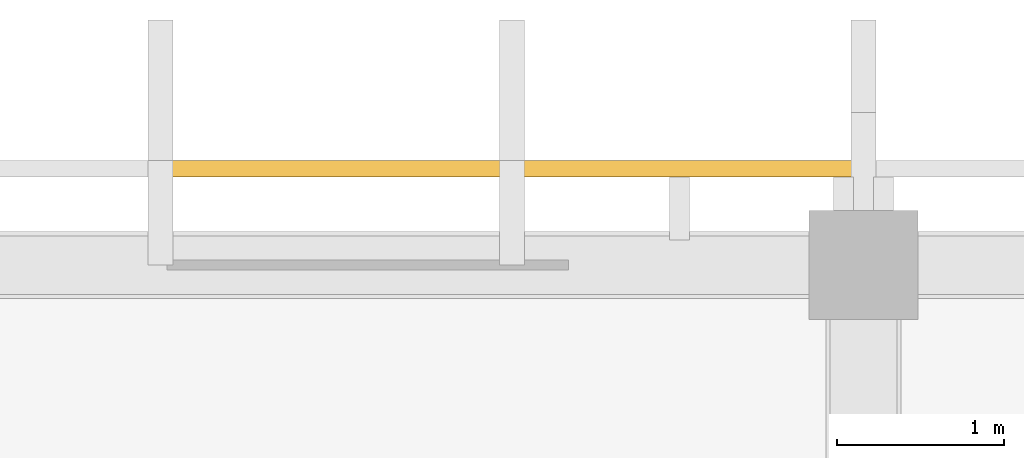
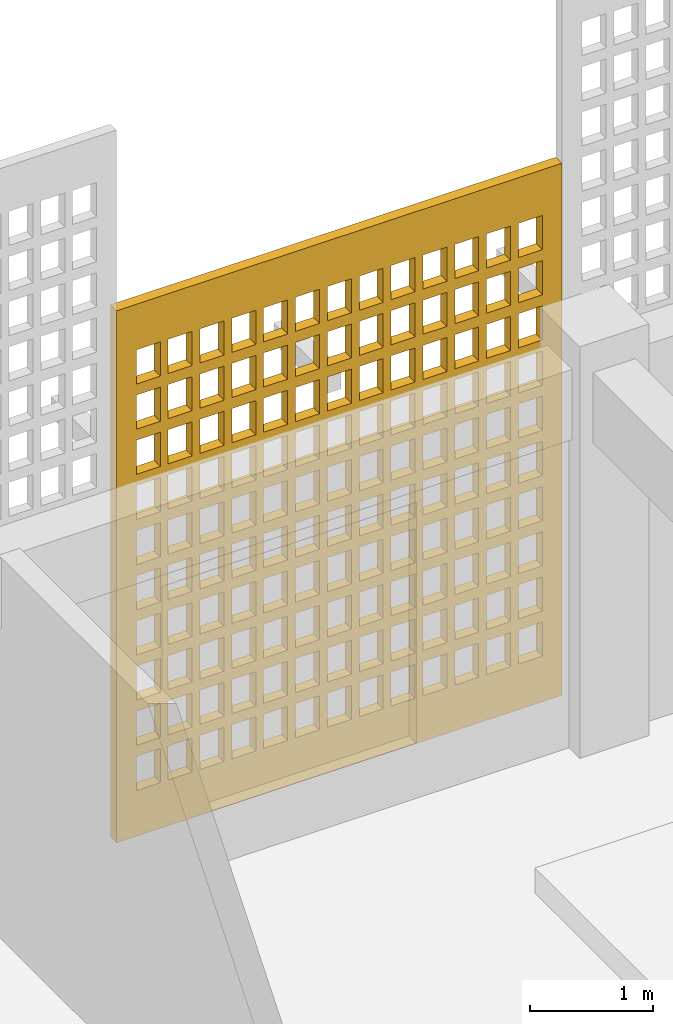
# One storey, part 20 of 23: 1 shading device, 1 opening.
"""IFC4 building model written with IfcOpenShell, lengths in metres."""

from ifc_helpers import new_model, si_unit, direction, frame, origin, origin_2d, place, context, subcontext, project, spatial, rectangle, extrude, material, layer, layer_set, type_object, element, save


model = new_model("IFC4")

# Units and contexts
model_context = context("Model", 3, precision=1e-05, world=origin(), true_north=direction((0.0, 1.0)))
body_context = subcontext(model_context, "Body", "Model", "MODEL_VIEW")
ifc_project = project(units=[si_unit("LENGTHUNIT", "METRE"), si_unit("AREAUNIT", "SQUARE_METRE"), si_unit("VOLUMEUNIT", "CUBIC_METRE"), si_unit("PLANEANGLEUNIT", "RADIAN"), si_unit("MASSUNIT", "GRAM", prefix="KILO")], contexts=[model_context])

# Site, building, storey
site_placement = place(None, origin())
site = spatial("IfcSite", under=ifc_project, at=site_placement, CompositionType="ELEMENT")
building_placement = place(site_placement, origin())
building = spatial("IfcBuilding", under=site, at=building_placement, Name="Rulbaag Community and Learning Centre", CompositionType="ELEMENT")
storey_placement = place(building_placement, frame((0.0, 0.0, 64.800048828125)))
storey = spatial("IfcBuildingStorey", under=building, at=storey_placement, Name="L17", CompositionType="ELEMENT", Elevation=64.800048828125)

# Shading device, opening
ifc_material = material(Name="Concrete M40", Category="concrete")
ifc_layer = layer(ifc_material, 0.10009765625)
ifc_layer_set = layer_set([ifc_layer], Name="JC-4")
shading_device_type = type_object("IfcShadingDeviceType", Name="JC-4", PredefinedType="SHUTTER", material=ifc_layer_set)
shading_device_placement = place(storey_placement, frame((157.5, 118.175048828125, 0.0), z_axis=(0.0, 0.0, 1.0), x_axis=(1.0, 0.0, 0.0)))
shading_device = element("IfcShadingDevice", 1, at=shading_device_placement, inside=storey, type_object=shading_device_type, Name="Jaali lantern screen", PredefinedType="SHUTTER", context=body_context, shape_type="SweptSolid", body=[
    extrude(rectangle(XDim=4.199951171875, YDim=0.10009765625, at=origin_2d()), origin(), (0.0, 0.0, 1.0), 5.300048828125),
])
opening_placement = place(shading_device_placement, origin())
element("IfcOpeningElement", 2, at=opening_placement, cuts=shading_device, Name="Perforation JC4", PredefinedType="OPENING", context=body_context, shape_type="SweptSolid", body=[
    extrude(rectangle(XDim=0.22509765625, YDim=0.340087890625, at=origin_2d()), frame((-1.800048828125, -0.06005859375, 0.625), z_axis=(0.0, 1.0, 0.0), x_axis=(1.0, 0.0, 0.0)), (0.0, 0.0, 1.0), 0.1201171875),
    extrude(rectangle(XDim=0.22509765625, YDim=0.340087890625, at=origin_2d()), frame((-1.5, -0.06005859375, 0.625), z_axis=(0.0, 1.0, 0.0), x_axis=(1.0, 0.0, 0.0)), (0.0, 0.0, 1.0), 0.1201171875),
    extrude(rectangle(XDim=0.22509765625, YDim=0.340087890625, at=origin_2d()), frame((-1.199951171875, -0.06005859375, 0.625), z_axis=(0.0, 1.0, 0.0), x_axis=(1.0, 0.0, 0.0)), (0.0, 0.0, 1.0), 0.1201171875),
    extrude(rectangle(XDim=0.22509765625, YDim=0.340087890625, at=origin_2d()), frame((-0.89990234375, -0.06005859375, 0.625), z_axis=(0.0, 1.0, 0.0), x_axis=(1.0, 0.0, 0.0)), (0.0, 0.0, 1.0), 0.1201171875),
    extrude(rectangle(XDim=0.22509765625, YDim=0.340087890625, at=origin_2d()), frame((-0.60009765625, -0.06005859375, 0.625), z_axis=(0.0, 1.0, 0.0), x_axis=(1.0, 0.0, 0.0)), (0.0, 0.0, 1.0), 0.1201171875),
    extrude(rectangle(XDim=0.22509765625, YDim=0.340087890625, at=origin_2d()), frame((-0.300048828125, -0.06005859375, 0.625), z_axis=(0.0, 1.0, 0.0), x_axis=(1.0, 0.0, 0.0)), (0.0, 0.0, 1.0), 0.1201171875),
    extrude(rectangle(XDim=0.22509765625, YDim=0.340087890625, at=origin_2d()), frame((0.0, -0.06005859375, 0.625), z_axis=(0.0, 1.0, 0.0), x_axis=(1.0, 0.0, 0.0)), (0.0, 0.0, 1.0), 0.1201171875),
    extrude(rectangle(XDim=0.22509765625, YDim=0.340087890625, at=origin_2d()), frame((0.300048828125, -0.06005859375, 0.625), z_axis=(0.0, 1.0, 0.0), x_axis=(1.0, 0.0, 0.0)), (0.0, 0.0, 1.0), 0.1201171875),
    extrude(rectangle(XDim=0.22509765625, YDim=0.340087890625, at=origin_2d()), frame((0.60009765625, -0.06005859375, 0.625), z_axis=(0.0, 1.0, 0.0), x_axis=(1.0, 0.0, 0.0)), (0.0, 0.0, 1.0), 0.1201171875),
    extrude(rectangle(XDim=0.22509765625, YDim=0.340087890625, at=origin_2d()), frame((0.89990234375, -0.06005859375, 0.625), z_axis=(0.0, 1.0, 0.0), x_axis=(1.0, 0.0, 0.0)), (0.0, 0.0, 1.0), 0.1201171875),
    extrude(rectangle(XDim=0.22509765625, YDim=0.340087890625, at=origin_2d()), frame((1.199951171875, -0.06005859375, 0.625), z_axis=(0.0, 1.0, 0.0), x_axis=(1.0, 0.0, 0.0)), (0.0, 0.0, 1.0), 0.1201171875),
    extrude(rectangle(XDim=0.22509765625, YDim=0.340087890625, at=origin_2d()), frame((1.5, -0.06005859375, 0.625), z_axis=(0.0, 1.0, 0.0), x_axis=(1.0, 0.0, 0.0)), (0.0, 0.0, 1.0), 0.1201171875),
    extrude(rectangle(XDim=0.22509765625, YDim=0.340087890625, at=origin_2d()), frame((1.800048828125, -0.06005859375, 0.625), z_axis=(0.0, 1.0, 0.0), x_axis=(1.0, 0.0, 0.0)), (0.0, 0.0, 1.0), 0.1201171875),
    extrude(rectangle(XDim=0.22509765625, YDim=0.340087890625, at=origin_2d()), frame((-1.800048828125, -0.06005859375, 1.074951171875), z_axis=(0.0, 1.0, 0.0), x_axis=(1.0, 0.0, 0.0)), (0.0, 0.0, 1.0), 0.1201171875),
    extrude(rectangle(XDim=0.22509765625, YDim=0.340087890625, at=origin_2d()), frame((-1.5, -0.06005859375, 1.074951171875), z_axis=(0.0, 1.0, 0.0), x_axis=(1.0, 0.0, 0.0)), (0.0, 0.0, 1.0), 0.1201171875),
    extrude(rectangle(XDim=0.22509765625, YDim=0.340087890625, at=origin_2d()), frame((-1.199951171875, -0.06005859375, 1.074951171875), z_axis=(0.0, 1.0, 0.0), x_axis=(1.0, 0.0, 0.0)), (0.0, 0.0, 1.0), 0.1201171875),
    extrude(rectangle(XDim=0.22509765625, YDim=0.340087890625, at=origin_2d()), frame((-0.89990234375, -0.06005859375, 1.074951171875), z_axis=(0.0, 1.0, 0.0), x_axis=(1.0, 0.0, 0.0)), (0.0, 0.0, 1.0), 0.1201171875),
    extrude(rectangle(XDim=0.22509765625, YDim=0.340087890625, at=origin_2d()), frame((-0.60009765625, -0.06005859375, 1.074951171875), z_axis=(0.0, 1.0, 0.0), x_axis=(1.0, 0.0, 0.0)), (0.0, 0.0, 1.0), 0.1201171875),
    extrude(rectangle(XDim=0.22509765625, YDim=0.340087890625, at=origin_2d()), frame((-0.300048828125, -0.06005859375, 1.074951171875), z_axis=(0.0, 1.0, 0.0), x_axis=(1.0, 0.0, 0.0)), (0.0, 0.0, 1.0), 0.1201171875),
    extrude(rectangle(XDim=0.22509765625, YDim=0.340087890625, at=origin_2d()), frame((0.0, -0.06005859375, 1.074951171875), z_axis=(0.0, 1.0, 0.0), x_axis=(1.0, 0.0, 0.0)), (0.0, 0.0, 1.0), 0.1201171875),
    extrude(rectangle(XDim=0.22509765625, YDim=0.340087890625, at=origin_2d()), frame((0.300048828125, -0.06005859375, 1.074951171875), z_axis=(0.0, 1.0, 0.0), x_axis=(1.0, 0.0, 0.0)), (0.0, 0.0, 1.0), 0.1201171875),
    extrude(rectangle(XDim=0.22509765625, YDim=0.340087890625, at=origin_2d()), frame((0.60009765625, -0.06005859375, 1.074951171875), z_axis=(0.0, 1.0, 0.0), x_axis=(1.0, 0.0, 0.0)), (0.0, 0.0, 1.0), 0.1201171875),
    extrude(rectangle(XDim=0.22509765625, YDim=0.340087890625, at=origin_2d()), frame((0.89990234375, -0.06005859375, 1.074951171875), z_axis=(0.0, 1.0, 0.0), x_axis=(1.0, 0.0, 0.0)), (0.0, 0.0, 1.0), 0.1201171875),
    extrude(rectangle(XDim=0.22509765625, YDim=0.340087890625, at=origin_2d()), frame((1.199951171875, -0.06005859375, 1.074951171875), z_axis=(0.0, 1.0, 0.0), x_axis=(1.0, 0.0, 0.0)), (0.0, 0.0, 1.0), 0.1201171875),
    extrude(rectangle(XDim=0.22509765625, YDim=0.340087890625, at=origin_2d()), frame((1.5, -0.06005859375, 1.074951171875), z_axis=(0.0, 1.0, 0.0), x_axis=(1.0, 0.0, 0.0)), (0.0, 0.0, 1.0), 0.1201171875),
    extrude(rectangle(XDim=0.22509765625, YDim=0.340087890625, at=origin_2d()), frame((1.800048828125, -0.06005859375, 1.074951171875), z_axis=(0.0, 1.0, 0.0), x_axis=(1.0, 0.0, 0.0)), (0.0, 0.0, 1.0), 0.1201171875),
    extrude(rectangle(XDim=0.22509765625, YDim=0.340087890625, at=origin_2d()), frame((-1.800048828125, -0.06005859375, 1.52490234375), z_axis=(0.0, 1.0, 0.0), x_axis=(1.0, 0.0, 0.0)), (0.0, 0.0, 1.0), 0.1201171875),
    extrude(rectangle(XDim=0.22509765625, YDim=0.340087890625, at=origin_2d()), frame((-1.5, -0.06005859375, 1.52490234375), z_axis=(0.0, 1.0, 0.0), x_axis=(1.0, 0.0, 0.0)), (0.0, 0.0, 1.0), 0.1201171875),
    extrude(rectangle(XDim=0.22509765625, YDim=0.340087890625, at=origin_2d()), frame((-1.199951171875, -0.06005859375, 1.52490234375), z_axis=(0.0, 1.0, 0.0), x_axis=(1.0, 0.0, 0.0)), (0.0, 0.0, 1.0), 0.1201171875),
    extrude(rectangle(XDim=0.22509765625, YDim=0.340087890625, at=origin_2d()), frame((-0.89990234375, -0.06005859375, 1.52490234375), z_axis=(0.0, 1.0, 0.0), x_axis=(1.0, 0.0, 0.0)), (0.0, 0.0, 1.0), 0.1201171875),
    extrude(rectangle(XDim=0.22509765625, YDim=0.340087890625, at=origin_2d()), frame((-0.60009765625, -0.06005859375, 1.52490234375), z_axis=(0.0, 1.0, 0.0), x_axis=(1.0, 0.0, 0.0)), (0.0, 0.0, 1.0), 0.1201171875),
    extrude(rectangle(XDim=0.22509765625, YDim=0.340087890625, at=origin_2d()), frame((-0.300048828125, -0.06005859375, 1.52490234375), z_axis=(0.0, 1.0, 0.0), x_axis=(1.0, 0.0, 0.0)), (0.0, 0.0, 1.0), 0.1201171875),
    extrude(rectangle(XDim=0.22509765625, YDim=0.340087890625, at=origin_2d()), frame((0.0, -0.06005859375, 1.52490234375), z_axis=(0.0, 1.0, 0.0), x_axis=(1.0, 0.0, 0.0)), (0.0, 0.0, 1.0), 0.1201171875),
    extrude(rectangle(XDim=0.22509765625, YDim=0.340087890625, at=origin_2d()), frame((0.300048828125, -0.06005859375, 1.52490234375), z_axis=(0.0, 1.0, 0.0), x_axis=(1.0, 0.0, 0.0)), (0.0, 0.0, 1.0), 0.1201171875),
    extrude(rectangle(XDim=0.22509765625, YDim=0.340087890625, at=origin_2d()), frame((0.60009765625, -0.06005859375, 1.52490234375), z_axis=(0.0, 1.0, 0.0), x_axis=(1.0, 0.0, 0.0)), (0.0, 0.0, 1.0), 0.1201171875),
    extrude(rectangle(XDim=0.22509765625, YDim=0.340087890625, at=origin_2d()), frame((0.89990234375, -0.06005859375, 1.52490234375), z_axis=(0.0, 1.0, 0.0), x_axis=(1.0, 0.0, 0.0)), (0.0, 0.0, 1.0), 0.1201171875),
    extrude(rectangle(XDim=0.22509765625, YDim=0.340087890625, at=origin_2d()), frame((1.199951171875, -0.06005859375, 1.52490234375), z_axis=(0.0, 1.0, 0.0), x_axis=(1.0, 0.0, 0.0)), (0.0, 0.0, 1.0), 0.1201171875),
    extrude(rectangle(XDim=0.22509765625, YDim=0.340087890625, at=origin_2d()), frame((1.5, -0.06005859375, 1.52490234375), z_axis=(0.0, 1.0, 0.0), x_axis=(1.0, 0.0, 0.0)), (0.0, 0.0, 1.0), 0.1201171875),
    extrude(rectangle(XDim=0.22509765625, YDim=0.340087890625, at=origin_2d()), frame((1.800048828125, -0.06005859375, 1.52490234375), z_axis=(0.0, 1.0, 0.0), x_axis=(1.0, 0.0, 0.0)), (0.0, 0.0, 1.0), 0.1201171875),
    extrude(rectangle(XDim=0.22509765625, YDim=0.340087890625, at=origin_2d()), frame((-1.800048828125, -0.06005859375, 1.97509765625), z_axis=(0.0, 1.0, 0.0), x_axis=(1.0, 0.0, 0.0)), (0.0, 0.0, 1.0), 0.1201171875),
    extrude(rectangle(XDim=0.22509765625, YDim=0.340087890625, at=origin_2d()), frame((-1.5, -0.06005859375, 1.97509765625), z_axis=(0.0, 1.0, 0.0), x_axis=(1.0, 0.0, 0.0)), (0.0, 0.0, 1.0), 0.1201171875),
    extrude(rectangle(XDim=0.22509765625, YDim=0.340087890625, at=origin_2d()), frame((-1.199951171875, -0.06005859375, 1.97509765625), z_axis=(0.0, 1.0, 0.0), x_axis=(1.0, 0.0, 0.0)), (0.0, 0.0, 1.0), 0.1201171875),
    extrude(rectangle(XDim=0.22509765625, YDim=0.340087890625, at=origin_2d()), frame((-0.89990234375, -0.06005859375, 1.97509765625), z_axis=(0.0, 1.0, 0.0), x_axis=(1.0, 0.0, 0.0)), (0.0, 0.0, 1.0), 0.1201171875),
    extrude(rectangle(XDim=0.22509765625, YDim=0.340087890625, at=origin_2d()), frame((-0.60009765625, -0.06005859375, 1.97509765625), z_axis=(0.0, 1.0, 0.0), x_axis=(1.0, 0.0, 0.0)), (0.0, 0.0, 1.0), 0.1201171875),
    extrude(rectangle(XDim=0.22509765625, YDim=0.340087890625, at=origin_2d()), frame((-0.300048828125, -0.06005859375, 1.97509765625), z_axis=(0.0, 1.0, 0.0), x_axis=(1.0, 0.0, 0.0)), (0.0, 0.0, 1.0), 0.1201171875),
    extrude(rectangle(XDim=0.22509765625, YDim=0.340087890625, at=origin_2d()), frame((0.0, -0.06005859375, 1.97509765625), z_axis=(0.0, 1.0, 0.0), x_axis=(1.0, 0.0, 0.0)), (0.0, 0.0, 1.0), 0.1201171875),
    extrude(rectangle(XDim=0.22509765625, YDim=0.340087890625, at=origin_2d()), frame((0.300048828125, -0.06005859375, 1.97509765625), z_axis=(0.0, 1.0, 0.0), x_axis=(1.0, 0.0, 0.0)), (0.0, 0.0, 1.0), 0.1201171875),
    extrude(rectangle(XDim=0.22509765625, YDim=0.340087890625, at=origin_2d()), frame((0.60009765625, -0.06005859375, 1.97509765625), z_axis=(0.0, 1.0, 0.0), x_axis=(1.0, 0.0, 0.0)), (0.0, 0.0, 1.0), 0.1201171875),
    extrude(rectangle(XDim=0.22509765625, YDim=0.340087890625, at=origin_2d()), frame((0.89990234375, -0.06005859375, 1.97509765625), z_axis=(0.0, 1.0, 0.0), x_axis=(1.0, 0.0, 0.0)), (0.0, 0.0, 1.0), 0.1201171875),
    extrude(rectangle(XDim=0.22509765625, YDim=0.340087890625, at=origin_2d()), frame((1.199951171875, -0.06005859375, 1.97509765625), z_axis=(0.0, 1.0, 0.0), x_axis=(1.0, 0.0, 0.0)), (0.0, 0.0, 1.0), 0.1201171875),
    extrude(rectangle(XDim=0.22509765625, YDim=0.340087890625, at=origin_2d()), frame((1.5, -0.06005859375, 1.97509765625), z_axis=(0.0, 1.0, 0.0), x_axis=(1.0, 0.0, 0.0)), (0.0, 0.0, 1.0), 0.1201171875),
    extrude(rectangle(XDim=0.22509765625, YDim=0.340087890625, at=origin_2d()), frame((1.800048828125, -0.06005859375, 1.97509765625), z_axis=(0.0, 1.0, 0.0), x_axis=(1.0, 0.0, 0.0)), (0.0, 0.0, 1.0), 0.1201171875),
    extrude(rectangle(XDim=0.22509765625, YDim=0.340087890625, at=origin_2d()), frame((-1.800048828125, -0.06005859375, 2.425048828125), z_axis=(0.0, 1.0, 0.0), x_axis=(1.0, 0.0, 0.0)), (0.0, 0.0, 1.0), 0.1201171875),
    extrude(rectangle(XDim=0.22509765625, YDim=0.340087890625, at=origin_2d()), frame((-1.5, -0.06005859375, 2.425048828125), z_axis=(0.0, 1.0, 0.0), x_axis=(1.0, 0.0, 0.0)), (0.0, 0.0, 1.0), 0.1201171875),
    extrude(rectangle(XDim=0.22509765625, YDim=0.340087890625, at=origin_2d()), frame((-1.199951171875, -0.06005859375, 2.425048828125), z_axis=(0.0, 1.0, 0.0), x_axis=(1.0, 0.0, 0.0)), (0.0, 0.0, 1.0), 0.1201171875),
    extrude(rectangle(XDim=0.22509765625, YDim=0.340087890625, at=origin_2d()), frame((-0.89990234375, -0.06005859375, 2.425048828125), z_axis=(0.0, 1.0, 0.0), x_axis=(1.0, 0.0, 0.0)), (0.0, 0.0, 1.0), 0.1201171875),
    extrude(rectangle(XDim=0.22509765625, YDim=0.340087890625, at=origin_2d()), frame((-0.60009765625, -0.06005859375, 2.425048828125), z_axis=(0.0, 1.0, 0.0), x_axis=(1.0, 0.0, 0.0)), (0.0, 0.0, 1.0), 0.1201171875),
    extrude(rectangle(XDim=0.22509765625, YDim=0.340087890625, at=origin_2d()), frame((-0.300048828125, -0.06005859375, 2.425048828125), z_axis=(0.0, 1.0, 0.0), x_axis=(1.0, 0.0, 0.0)), (0.0, 0.0, 1.0), 0.1201171875),
    extrude(rectangle(XDim=0.22509765625, YDim=0.340087890625, at=origin_2d()), frame((0.0, -0.06005859375, 2.425048828125), z_axis=(0.0, 1.0, 0.0), x_axis=(1.0, 0.0, 0.0)), (0.0, 0.0, 1.0), 0.1201171875),
    extrude(rectangle(XDim=0.22509765625, YDim=0.340087890625, at=origin_2d()), frame((0.300048828125, -0.06005859375, 2.425048828125), z_axis=(0.0, 1.0, 0.0), x_axis=(1.0, 0.0, 0.0)), (0.0, 0.0, 1.0), 0.1201171875),
    extrude(rectangle(XDim=0.22509765625, YDim=0.340087890625, at=origin_2d()), frame((0.60009765625, -0.06005859375, 2.425048828125), z_axis=(0.0, 1.0, 0.0), x_axis=(1.0, 0.0, 0.0)), (0.0, 0.0, 1.0), 0.1201171875),
    extrude(rectangle(XDim=0.22509765625, YDim=0.340087890625, at=origin_2d()), frame((0.89990234375, -0.06005859375, 2.425048828125), z_axis=(0.0, 1.0, 0.0), x_axis=(1.0, 0.0, 0.0)), (0.0, 0.0, 1.0), 0.1201171875),
    extrude(rectangle(XDim=0.22509765625, YDim=0.340087890625, at=origin_2d()), frame((1.199951171875, -0.06005859375, 2.425048828125), z_axis=(0.0, 1.0, 0.0), x_axis=(1.0, 0.0, 0.0)), (0.0, 0.0, 1.0), 0.1201171875),
    extrude(rectangle(XDim=0.22509765625, YDim=0.340087890625, at=origin_2d()), frame((1.5, -0.06005859375, 2.425048828125), z_axis=(0.0, 1.0, 0.0), x_axis=(1.0, 0.0, 0.0)), (0.0, 0.0, 1.0), 0.1201171875),
    extrude(rectangle(XDim=0.22509765625, YDim=0.340087890625, at=origin_2d()), frame((1.800048828125, -0.06005859375, 2.425048828125), z_axis=(0.0, 1.0, 0.0), x_axis=(1.0, 0.0, 0.0)), (0.0, 0.0, 1.0), 0.1201171875),
    extrude(rectangle(XDim=0.22509765625, YDim=0.340087890625, at=origin_2d()), frame((-1.800048828125, -0.06005859375, 2.875), z_axis=(0.0, 1.0, 0.0), x_axis=(1.0, 0.0, 0.0)), (0.0, 0.0, 1.0), 0.1201171875),
    extrude(rectangle(XDim=0.22509765625, YDim=0.340087890625, at=origin_2d()), frame((-1.5, -0.06005859375, 2.875), z_axis=(0.0, 1.0, 0.0), x_axis=(1.0, 0.0, 0.0)), (0.0, 0.0, 1.0), 0.1201171875),
    extrude(rectangle(XDim=0.22509765625, YDim=0.340087890625, at=origin_2d()), frame((-1.199951171875, -0.06005859375, 2.875), z_axis=(0.0, 1.0, 0.0), x_axis=(1.0, 0.0, 0.0)), (0.0, 0.0, 1.0), 0.1201171875),
    extrude(rectangle(XDim=0.22509765625, YDim=0.340087890625, at=origin_2d()), frame((-0.89990234375, -0.06005859375, 2.875), z_axis=(0.0, 1.0, 0.0), x_axis=(1.0, 0.0, 0.0)), (0.0, 0.0, 1.0), 0.1201171875),
    extrude(rectangle(XDim=0.22509765625, YDim=0.340087890625, at=origin_2d()), frame((-0.60009765625, -0.06005859375, 2.875), z_axis=(0.0, 1.0, 0.0), x_axis=(1.0, 0.0, 0.0)), (0.0, 0.0, 1.0), 0.1201171875),
    extrude(rectangle(XDim=0.22509765625, YDim=0.340087890625, at=origin_2d()), frame((-0.300048828125, -0.06005859375, 2.875), z_axis=(0.0, 1.0, 0.0), x_axis=(1.0, 0.0, 0.0)), (0.0, 0.0, 1.0), 0.1201171875),
    extrude(rectangle(XDim=0.22509765625, YDim=0.340087890625, at=origin_2d()), frame((0.0, -0.06005859375, 2.875), z_axis=(0.0, 1.0, 0.0), x_axis=(1.0, 0.0, 0.0)), (0.0, 0.0, 1.0), 0.1201171875),
    extrude(rectangle(XDim=0.22509765625, YDim=0.340087890625, at=origin_2d()), frame((0.300048828125, -0.06005859375, 2.875), z_axis=(0.0, 1.0, 0.0), x_axis=(1.0, 0.0, 0.0)), (0.0, 0.0, 1.0), 0.1201171875),
    extrude(rectangle(XDim=0.22509765625, YDim=0.340087890625, at=origin_2d()), frame((0.60009765625, -0.06005859375, 2.875), z_axis=(0.0, 1.0, 0.0), x_axis=(1.0, 0.0, 0.0)), (0.0, 0.0, 1.0), 0.1201171875),
    extrude(rectangle(XDim=0.22509765625, YDim=0.340087890625, at=origin_2d()), frame((0.89990234375, -0.06005859375, 2.875), z_axis=(0.0, 1.0, 0.0), x_axis=(1.0, 0.0, 0.0)), (0.0, 0.0, 1.0), 0.1201171875),
    extrude(rectangle(XDim=0.22509765625, YDim=0.340087890625, at=origin_2d()), frame((1.199951171875, -0.06005859375, 2.875), z_axis=(0.0, 1.0, 0.0), x_axis=(1.0, 0.0, 0.0)), (0.0, 0.0, 1.0), 0.1201171875),
    extrude(rectangle(XDim=0.22509765625, YDim=0.340087890625, at=origin_2d()), frame((1.5, -0.06005859375, 2.875), z_axis=(0.0, 1.0, 0.0), x_axis=(1.0, 0.0, 0.0)), (0.0, 0.0, 1.0), 0.1201171875),
    extrude(rectangle(XDim=0.22509765625, YDim=0.340087890625, at=origin_2d()), frame((1.800048828125, -0.06005859375, 2.875), z_axis=(0.0, 1.0, 0.0), x_axis=(1.0, 0.0, 0.0)), (0.0, 0.0, 1.0), 0.1201171875),
    extrude(rectangle(XDim=0.22509765625, YDim=0.340087890625, at=origin_2d()), frame((-1.800048828125, -0.06005859375, 3.324951171875), z_axis=(0.0, 1.0, 0.0), x_axis=(1.0, 0.0, 0.0)), (0.0, 0.0, 1.0), 0.1201171875),
    extrude(rectangle(XDim=0.22509765625, YDim=0.340087890625, at=origin_2d()), frame((-1.5, -0.06005859375, 3.324951171875), z_axis=(0.0, 1.0, 0.0), x_axis=(1.0, 0.0, 0.0)), (0.0, 0.0, 1.0), 0.1201171875),
    extrude(rectangle(XDim=0.22509765625, YDim=0.340087890625, at=origin_2d()), frame((-1.199951171875, -0.06005859375, 3.324951171875), z_axis=(0.0, 1.0, 0.0), x_axis=(1.0, 0.0, 0.0)), (0.0, 0.0, 1.0), 0.1201171875),
    extrude(rectangle(XDim=0.22509765625, YDim=0.340087890625, at=origin_2d()), frame((-0.89990234375, -0.06005859375, 3.324951171875), z_axis=(0.0, 1.0, 0.0), x_axis=(1.0, 0.0, 0.0)), (0.0, 0.0, 1.0), 0.1201171875),
    extrude(rectangle(XDim=0.22509765625, YDim=0.340087890625, at=origin_2d()), frame((-0.60009765625, -0.06005859375, 3.324951171875), z_axis=(0.0, 1.0, 0.0), x_axis=(1.0, 0.0, 0.0)), (0.0, 0.0, 1.0), 0.1201171875),
    extrude(rectangle(XDim=0.22509765625, YDim=0.340087890625, at=origin_2d()), frame((-0.300048828125, -0.06005859375, 3.324951171875), z_axis=(0.0, 1.0, 0.0), x_axis=(1.0, 0.0, 0.0)), (0.0, 0.0, 1.0), 0.1201171875),
    extrude(rectangle(XDim=0.22509765625, YDim=0.340087890625, at=origin_2d()), frame((0.0, -0.06005859375, 3.324951171875), z_axis=(0.0, 1.0, 0.0), x_axis=(1.0, 0.0, 0.0)), (0.0, 0.0, 1.0), 0.1201171875),
    extrude(rectangle(XDim=0.22509765625, YDim=0.340087890625, at=origin_2d()), frame((0.300048828125, -0.06005859375, 3.324951171875), z_axis=(0.0, 1.0, 0.0), x_axis=(1.0, 0.0, 0.0)), (0.0, 0.0, 1.0), 0.1201171875),
    extrude(rectangle(XDim=0.22509765625, YDim=0.340087890625, at=origin_2d()), frame((0.60009765625, -0.06005859375, 3.324951171875), z_axis=(0.0, 1.0, 0.0), x_axis=(1.0, 0.0, 0.0)), (0.0, 0.0, 1.0), 0.1201171875),
    extrude(rectangle(XDim=0.22509765625, YDim=0.340087890625, at=origin_2d()), frame((0.89990234375, -0.06005859375, 3.324951171875), z_axis=(0.0, 1.0, 0.0), x_axis=(1.0, 0.0, 0.0)), (0.0, 0.0, 1.0), 0.1201171875),
    extrude(rectangle(XDim=0.22509765625, YDim=0.340087890625, at=origin_2d()), frame((1.199951171875, -0.06005859375, 3.324951171875), z_axis=(0.0, 1.0, 0.0), x_axis=(1.0, 0.0, 0.0)), (0.0, 0.0, 1.0), 0.1201171875),
    extrude(rectangle(XDim=0.22509765625, YDim=0.340087890625, at=origin_2d()), frame((1.5, -0.06005859375, 3.324951171875), z_axis=(0.0, 1.0, 0.0), x_axis=(1.0, 0.0, 0.0)), (0.0, 0.0, 1.0), 0.1201171875),
    extrude(rectangle(XDim=0.22509765625, YDim=0.340087890625, at=origin_2d()), frame((1.800048828125, -0.06005859375, 3.324951171875), z_axis=(0.0, 1.0, 0.0), x_axis=(1.0, 0.0, 0.0)), (0.0, 0.0, 1.0), 0.1201171875),
    extrude(rectangle(XDim=0.22509765625, YDim=0.340087890625, at=origin_2d()), frame((-1.800048828125, -0.06005859375, 3.77490234375), z_axis=(0.0, 1.0, 0.0), x_axis=(1.0, 0.0, 0.0)), (0.0, 0.0, 1.0), 0.1201171875),
    extrude(rectangle(XDim=0.22509765625, YDim=0.340087890625, at=origin_2d()), frame((-1.5, -0.06005859375, 3.77490234375), z_axis=(0.0, 1.0, 0.0), x_axis=(1.0, 0.0, 0.0)), (0.0, 0.0, 1.0), 0.1201171875),
    extrude(rectangle(XDim=0.22509765625, YDim=0.340087890625, at=origin_2d()), frame((-1.199951171875, -0.06005859375, 3.77490234375), z_axis=(0.0, 1.0, 0.0), x_axis=(1.0, 0.0, 0.0)), (0.0, 0.0, 1.0), 0.1201171875),
    extrude(rectangle(XDim=0.22509765625, YDim=0.340087890625, at=origin_2d()), frame((-0.89990234375, -0.06005859375, 3.77490234375), z_axis=(0.0, 1.0, 0.0), x_axis=(1.0, 0.0, 0.0)), (0.0, 0.0, 1.0), 0.1201171875),
    extrude(rectangle(XDim=0.22509765625, YDim=0.340087890625, at=origin_2d()), frame((-0.60009765625, -0.06005859375, 3.77490234375), z_axis=(0.0, 1.0, 0.0), x_axis=(1.0, 0.0, 0.0)), (0.0, 0.0, 1.0), 0.1201171875),
    extrude(rectangle(XDim=0.22509765625, YDim=0.340087890625, at=origin_2d()), frame((-0.300048828125, -0.06005859375, 3.77490234375), z_axis=(0.0, 1.0, 0.0), x_axis=(1.0, 0.0, 0.0)), (0.0, 0.0, 1.0), 0.1201171875),
    extrude(rectangle(XDim=0.22509765625, YDim=0.340087890625, at=origin_2d()), frame((0.0, -0.06005859375, 3.77490234375), z_axis=(0.0, 1.0, 0.0), x_axis=(1.0, 0.0, 0.0)), (0.0, 0.0, 1.0), 0.1201171875),
    extrude(rectangle(XDim=0.22509765625, YDim=0.340087890625, at=origin_2d()), frame((0.300048828125, -0.06005859375, 3.77490234375), z_axis=(0.0, 1.0, 0.0), x_axis=(1.0, 0.0, 0.0)), (0.0, 0.0, 1.0), 0.1201171875),
    extrude(rectangle(XDim=0.22509765625, YDim=0.340087890625, at=origin_2d()), frame((0.60009765625, -0.06005859375, 3.77490234375), z_axis=(0.0, 1.0, 0.0), x_axis=(1.0, 0.0, 0.0)), (0.0, 0.0, 1.0), 0.1201171875),
    extrude(rectangle(XDim=0.22509765625, YDim=0.340087890625, at=origin_2d()), frame((0.89990234375, -0.06005859375, 3.77490234375), z_axis=(0.0, 1.0, 0.0), x_axis=(1.0, 0.0, 0.0)), (0.0, 0.0, 1.0), 0.1201171875),
    extrude(rectangle(XDim=0.22509765625, YDim=0.340087890625, at=origin_2d()), frame((1.199951171875, -0.06005859375, 3.77490234375), z_axis=(0.0, 1.0, 0.0), x_axis=(1.0, 0.0, 0.0)), (0.0, 0.0, 1.0), 0.1201171875),
    extrude(rectangle(XDim=0.22509765625, YDim=0.340087890625, at=origin_2d()), frame((1.5, -0.06005859375, 3.77490234375), z_axis=(0.0, 1.0, 0.0), x_axis=(1.0, 0.0, 0.0)), (0.0, 0.0, 1.0), 0.1201171875),
    extrude(rectangle(XDim=0.22509765625, YDim=0.340087890625, at=origin_2d()), frame((1.800048828125, -0.06005859375, 3.77490234375), z_axis=(0.0, 1.0, 0.0), x_axis=(1.0, 0.0, 0.0)), (0.0, 0.0, 1.0), 0.1201171875),
    extrude(rectangle(XDim=0.22509765625, YDim=0.340087890625, at=origin_2d()), frame((-1.800048828125, -0.06005859375, 4.22509765625), z_axis=(0.0, 1.0, 0.0), x_axis=(1.0, 0.0, 0.0)), (0.0, 0.0, 1.0), 0.1201171875),
    extrude(rectangle(XDim=0.22509765625, YDim=0.340087890625, at=origin_2d()), frame((-1.5, -0.06005859375, 4.22509765625), z_axis=(0.0, 1.0, 0.0), x_axis=(1.0, 0.0, 0.0)), (0.0, 0.0, 1.0), 0.1201171875),
    extrude(rectangle(XDim=0.22509765625, YDim=0.340087890625, at=origin_2d()), frame((-1.199951171875, -0.06005859375, 4.22509765625), z_axis=(0.0, 1.0, 0.0), x_axis=(1.0, 0.0, 0.0)), (0.0, 0.0, 1.0), 0.1201171875),
    extrude(rectangle(XDim=0.22509765625, YDim=0.340087890625, at=origin_2d()), frame((-0.89990234375, -0.06005859375, 4.22509765625), z_axis=(0.0, 1.0, 0.0), x_axis=(1.0, 0.0, 0.0)), (0.0, 0.0, 1.0), 0.1201171875),
    extrude(rectangle(XDim=0.22509765625, YDim=0.340087890625, at=origin_2d()), frame((-0.60009765625, -0.06005859375, 4.22509765625), z_axis=(0.0, 1.0, 0.0), x_axis=(1.0, 0.0, 0.0)), (0.0, 0.0, 1.0), 0.1201171875),
    extrude(rectangle(XDim=0.22509765625, YDim=0.340087890625, at=origin_2d()), frame((-0.300048828125, -0.06005859375, 4.22509765625), z_axis=(0.0, 1.0, 0.0), x_axis=(1.0, 0.0, 0.0)), (0.0, 0.0, 1.0), 0.1201171875),
    extrude(rectangle(XDim=0.22509765625, YDim=0.340087890625, at=origin_2d()), frame((0.0, -0.06005859375, 4.22509765625), z_axis=(0.0, 1.0, 0.0), x_axis=(1.0, 0.0, 0.0)), (0.0, 0.0, 1.0), 0.1201171875),
    extrude(rectangle(XDim=0.22509765625, YDim=0.340087890625, at=origin_2d()), frame((0.300048828125, -0.06005859375, 4.22509765625), z_axis=(0.0, 1.0, 0.0), x_axis=(1.0, 0.0, 0.0)), (0.0, 0.0, 1.0), 0.1201171875),
    extrude(rectangle(XDim=0.22509765625, YDim=0.340087890625, at=origin_2d()), frame((0.60009765625, -0.06005859375, 4.22509765625), z_axis=(0.0, 1.0, 0.0), x_axis=(1.0, 0.0, 0.0)), (0.0, 0.0, 1.0), 0.1201171875),
    extrude(rectangle(XDim=0.22509765625, YDim=0.340087890625, at=origin_2d()), frame((0.89990234375, -0.06005859375, 4.22509765625), z_axis=(0.0, 1.0, 0.0), x_axis=(1.0, 0.0, 0.0)), (0.0, 0.0, 1.0), 0.1201171875),
    extrude(rectangle(XDim=0.22509765625, YDim=0.340087890625, at=origin_2d()), frame((1.199951171875, -0.06005859375, 4.22509765625), z_axis=(0.0, 1.0, 0.0), x_axis=(1.0, 0.0, 0.0)), (0.0, 0.0, 1.0), 0.1201171875),
    extrude(rectangle(XDim=0.22509765625, YDim=0.340087890625, at=origin_2d()), frame((1.5, -0.06005859375, 4.22509765625), z_axis=(0.0, 1.0, 0.0), x_axis=(1.0, 0.0, 0.0)), (0.0, 0.0, 1.0), 0.1201171875),
    extrude(rectangle(XDim=0.22509765625, YDim=0.340087890625, at=origin_2d()), frame((1.800048828125, -0.06005859375, 4.22509765625), z_axis=(0.0, 1.0, 0.0), x_axis=(1.0, 0.0, 0.0)), (0.0, 0.0, 1.0), 0.1201171875),
    extrude(rectangle(XDim=0.22509765625, YDim=0.340087890625, at=origin_2d()), frame((-1.800048828125, -0.06005859375, 4.675048828125), z_axis=(0.0, 1.0, 0.0), x_axis=(1.0, 0.0, 0.0)), (0.0, 0.0, 1.0), 0.1201171875),
    extrude(rectangle(XDim=0.22509765625, YDim=0.340087890625, at=origin_2d()), frame((-1.5, -0.06005859375, 4.675048828125), z_axis=(0.0, 1.0, 0.0), x_axis=(1.0, 0.0, 0.0)), (0.0, 0.0, 1.0), 0.1201171875),
    extrude(rectangle(XDim=0.22509765625, YDim=0.340087890625, at=origin_2d()), frame((-1.199951171875, -0.06005859375, 4.675048828125), z_axis=(0.0, 1.0, 0.0), x_axis=(1.0, 0.0, 0.0)), (0.0, 0.0, 1.0), 0.1201171875),
    extrude(rectangle(XDim=0.22509765625, YDim=0.340087890625, at=origin_2d()), frame((-0.89990234375, -0.06005859375, 4.675048828125), z_axis=(0.0, 1.0, 0.0), x_axis=(1.0, 0.0, 0.0)), (0.0, 0.0, 1.0), 0.1201171875),
    extrude(rectangle(XDim=0.22509765625, YDim=0.340087890625, at=origin_2d()), frame((-0.60009765625, -0.06005859375, 4.675048828125), z_axis=(0.0, 1.0, 0.0), x_axis=(1.0, 0.0, 0.0)), (0.0, 0.0, 1.0), 0.1201171875),
    extrude(rectangle(XDim=0.22509765625, YDim=0.340087890625, at=origin_2d()), frame((-0.300048828125, -0.06005859375, 4.675048828125), z_axis=(0.0, 1.0, 0.0), x_axis=(1.0, 0.0, 0.0)), (0.0, 0.0, 1.0), 0.1201171875),
    extrude(rectangle(XDim=0.22509765625, YDim=0.340087890625, at=origin_2d()), frame((0.0, -0.06005859375, 4.675048828125), z_axis=(0.0, 1.0, 0.0), x_axis=(1.0, 0.0, 0.0)), (0.0, 0.0, 1.0), 0.1201171875),
    extrude(rectangle(XDim=0.22509765625, YDim=0.340087890625, at=origin_2d()), frame((0.300048828125, -0.06005859375, 4.675048828125), z_axis=(0.0, 1.0, 0.0), x_axis=(1.0, 0.0, 0.0)), (0.0, 0.0, 1.0), 0.1201171875),
    extrude(rectangle(XDim=0.22509765625, YDim=0.340087890625, at=origin_2d()), frame((0.60009765625, -0.06005859375, 4.675048828125), z_axis=(0.0, 1.0, 0.0), x_axis=(1.0, 0.0, 0.0)), (0.0, 0.0, 1.0), 0.1201171875),
    extrude(rectangle(XDim=0.22509765625, YDim=0.340087890625, at=origin_2d()), frame((0.89990234375, -0.06005859375, 4.675048828125), z_axis=(0.0, 1.0, 0.0), x_axis=(1.0, 0.0, 0.0)), (0.0, 0.0, 1.0), 0.1201171875),
    extrude(rectangle(XDim=0.22509765625, YDim=0.340087890625, at=origin_2d()), frame((1.199951171875, -0.06005859375, 4.675048828125), z_axis=(0.0, 1.0, 0.0), x_axis=(1.0, 0.0, 0.0)), (0.0, 0.0, 1.0), 0.1201171875),
    extrude(rectangle(XDim=0.22509765625, YDim=0.340087890625, at=origin_2d()), frame((1.5, -0.06005859375, 4.675048828125), z_axis=(0.0, 1.0, 0.0), x_axis=(1.0, 0.0, 0.0)), (0.0, 0.0, 1.0), 0.1201171875),
    extrude(rectangle(XDim=0.22509765625, YDim=0.340087890625, at=origin_2d()), frame((1.800048828125, -0.06005859375, 4.675048828125), z_axis=(0.0, 1.0, 0.0), x_axis=(1.0, 0.0, 0.0)), (0.0, 0.0, 1.0), 0.1201171875),
])

save(model, "model.ifc")
